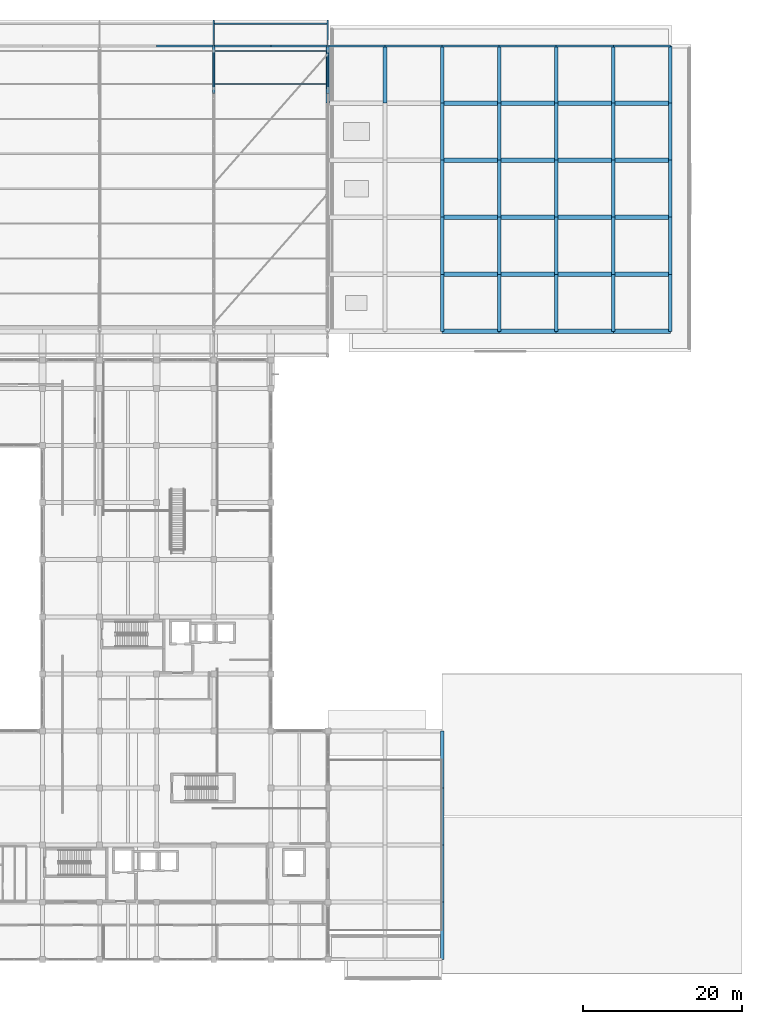
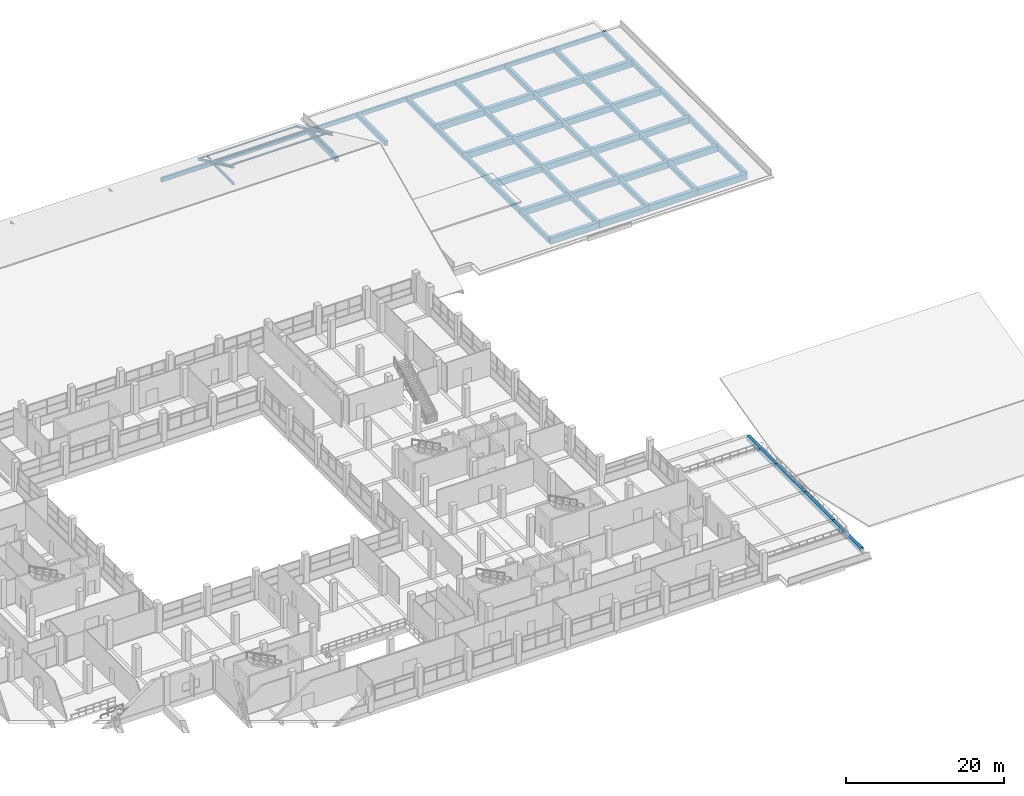
# One storey, part 111 of 141: 60 beams, 11 members, 2 elements without a shape of their own.
"""IFC4 building model written with IfcOpenShell, lengths in metres."""

from ifc_helpers import new_model, si_unit, direction, frame, origin, origin_2d, place, context, subcontext, project, spatial, rectangle, hollow_circle, i_section, extrude, material, material_profile, profile_set, type_object, element, aggregate, save


model = new_model("IFC4")

# Units and contexts
model_context = context("Model", 3, precision=1e-05, world=origin(), true_north=direction((0.0, 1.0)))
body_context = subcontext(model_context, "Body", "Model", "MODEL_VIEW")
ifc_project = project(units=[si_unit("LENGTHUNIT", "METRE"), si_unit("AREAUNIT", "SQUARE_METRE"), si_unit("VOLUMEUNIT", "CUBIC_METRE"), si_unit("PLANEANGLEUNIT", "RADIAN"), si_unit("MASSUNIT", "GRAM", prefix="KILO")], contexts=[model_context])

# Site, building, storey
site_placement = place(None, origin())
site = spatial("IfcSite", under=ifc_project, at=site_placement, CompositionType="ELEMENT")
building_placement = place(site_placement, origin())
building = spatial("IfcBuilding", under=site, at=building_placement, Name="Seraya Terrace Polytechnic", CompositionType="ELEMENT")
storey_placement = place(building_placement, frame((0.0, 0.0, 14.39990234375)))
storey = spatial("IfcBuildingStorey", under=building, at=storey_placement, Name="L03", CompositionType="ELEMENT", Elevation=14.39990234375)

# Assembly, member
ifc_material_1 = material(Name="Steel S355J2", Category="steel")
element_assembly_type = type_object("IfcElementAssemblyType", Name="TR-A1", PredefinedType="TRUSS", material=ifc_material_1)
assembly_1_placement = place(storey_placement, origin())
assembly_1 = element("IfcElementAssembly", 1, at=assembly_1_placement, inside=storey, type_object=element_assembly_type, Name="Pitched steel roof truss TR-07", AssemblyPlace="SITE", PredefinedType="TRUSS")
ifc_material_profile_1 = material_profile(ifc_material_1, i_section(OverallWidth=0.304931640625, OverallDepth=0.304931640625, WebThickness=0.014892578125, FlangeThickness=0.023681640625, at=origin_2d()), Name="UKC 305x305x14.9x23.8")
ifc_profile_set_1 = profile_set([ifc_material_profile_1], Name="Steel S355J2")
member_type_1 = type_object("IfcMemberType", Name="BC-01", PredefinedType="CHORD", material=ifc_profile_set_1)
member_1_placement = place(storey_placement, frame((100.800048828125, 109.199951171875, 0.150146484375), z_axis=(0.0, 1.0, 0.0), x_axis=(-1.0, 0.0, 0.0)))
member_1 = element("IfcMember", 2, at=member_1_placement, type_object=member_type_1, Name="TR-07 bottom chord 6", PredefinedType="CHORD", context=body_context, shape_type="SweptSolid", body=[
    extrude(i_section(OverallWidth=0.304931640625, OverallDepth=0.304931640625, WebThickness=0.014892578125, FlangeThickness=0.023681640625, at=origin_2d()), origin(), (0.0, 0.0, 1.0), 6.0),
])

assembly_2_placement = place(storey_placement, origin())
assembly_2 = element("IfcElementAssembly", 3, at=assembly_2_placement, inside=storey, type_object=element_assembly_type, Name="Pitched steel roof truss TR-08", AssemblyPlace="SITE", PredefinedType="TRUSS")
member_2_placement = place(storey_placement, frame((115.199951171875, 109.199951171875, 0.150146484375), z_axis=(0.0, 1.0, 0.0), x_axis=(-1.0, 0.0, 0.0)))
member_2 = element("IfcMember", 4, at=member_2_placement, type_object=member_type_1, Name="TR-08 bottom chord 6", PredefinedType="CHORD", context=body_context, shape_type="SweptSolid", body=[
    extrude(i_section(OverallWidth=0.304931640625, OverallDepth=0.304931640625, WebThickness=0.014892578125, FlangeThickness=0.023681640625, at=origin_2d()), origin(), (0.0, 0.0, 1.0), 6.0),
])

# Beams
ifc_material_2 = material(Name="Concrete C40/50", Category="concrete")
ifc_material_profile_2 = material_profile(ifc_material_2, rectangle(XDim=0.580078125, YDim=0.97998046875, at=origin_2d()), Name="RC 580x980")
ifc_profile_set_2 = profile_set([ifc_material_profile_2], Name="Concrete C40/50")
beam_type_1 = type_object("IfcBeamType", Name="BM-02", PredefinedType="BEAM", material=ifc_profile_set_2)
for number, where, z_axis, x_axis, name in (
    (5, (129.60009765625, 79.199951171875, -0.489990234375), (1.0, 0.0, 0.0), (0.0, 1.0, 0.0), "Beam BM-02 L03 X (129.6..136.8, 79.2)"),
    (6, (136.800048828125, 79.199951171875, -0.489990234375), (1.0, 0.0, 0.0), (0.0, 1.0, 0.0), "Beam BM-02 L03 X (136.8..144.0, 79.2)"),
    (7, (144.0, 79.199951171875, -0.489990234375), (1.0, 0.0, 0.0), (0.0, 1.0, 0.0), "Beam BM-02 L03 X (144.0..151.2, 79.2)"),
    (8, (151.199951171875, 79.199951171875, -0.489990234375), (1.0, 0.0, 0.0), (0.0, 1.0, 0.0), "Beam BM-02 L03 X (151.2..158.4, 79.2)"),
    (9, (129.60009765625, 86.39990234375, -0.489990234375), (1.0, 0.0, 0.0), (0.0, 1.0, 0.0), "Beam BM-02 L03 X (129.6..136.8, 86.4)"),
    (10, (136.800048828125, 86.39990234375, -0.489990234375), (1.0, 0.0, 0.0), (0.0, 1.0, 0.0), "Beam BM-02 L03 X (136.8..144.0, 86.4)"),
    (11, (144.0, 86.39990234375, -0.489990234375), (1.0, 0.0, 0.0), (0.0, 1.0, 0.0), "Beam BM-02 L03 X (144.0..151.2, 86.4)"),
    (12, (151.199951171875, 86.39990234375, -0.489990234375), (1.0, 0.0, 0.0), (0.0, 1.0, 0.0), "Beam BM-02 L03 X (151.2..158.4, 86.4)"),
    (13, (129.60009765625, 93.60009765625, -0.489990234375), (1.0, 0.0, 0.0), (0.0, 1.0, 0.0), "Beam BM-02 L03 X (129.6..136.8, 93.6)"),
    (14, (136.800048828125, 93.60009765625, -0.489990234375), (1.0, 0.0, 0.0), (0.0, 1.0, 0.0), "Beam BM-02 L03 X (136.8..144.0, 93.6)"),
    (15, (144.0, 93.60009765625, -0.489990234375), (1.0, 0.0, 0.0), (0.0, 1.0, 0.0), "Beam BM-02 L03 X (144.0..151.2, 93.6)"),
    (16, (151.199951171875, 93.60009765625, -0.489990234375), (1.0, 0.0, 0.0), (0.0, 1.0, 0.0), "Beam BM-02 L03 X (151.2..158.4, 93.6)"),
    (17, (129.60009765625, 100.800048828125, -0.489990234375), (1.0, 0.0, 0.0), (0.0, 1.0, 0.0), "Beam BM-02 L03 X (129.6..136.8, 100.8)"),
    (18, (136.800048828125, 100.800048828125, -0.489990234375), (1.0, 0.0, 0.0), (0.0, 1.0, 0.0), "Beam BM-02 L03 X (136.8..144.0, 100.8)"),
    (19, (144.0, 100.800048828125, -0.489990234375), (1.0, 0.0, 0.0), (0.0, 1.0, 0.0), "Beam BM-02 L03 X (144.0..151.2, 100.8)"),
    (20, (151.199951171875, 100.800048828125, -0.489990234375), (1.0, 0.0, 0.0), (0.0, 1.0, 0.0), "Beam BM-02 L03 X (151.2..158.4, 100.8)"),
    (21, (129.60009765625, 108.0, -0.489990234375), (1.0, 0.0, 0.0), (0.0, 1.0, 0.0), "Beam BM-02 L03 X (129.6..136.8, 108.0)"),
    (22, (136.800048828125, 108.0, -0.489990234375), (1.0, 0.0, 0.0), (0.0, 1.0, 0.0), "Beam BM-02 L03 X (136.8..144.0, 108.0)"),
    (23, (144.0, 108.0, -0.489990234375), (1.0, 0.0, 0.0), (0.0, 1.0, 0.0), "Beam BM-02 L03 X (144.0..151.2, 108.0)"),
    (24, (151.199951171875, 108.0, -0.489990234375), (1.0, 0.0, 0.0), (0.0, 1.0, 0.0), "Beam BM-02 L03 X (151.2..158.4, 108.0)"),
):
    element("IfcBeam", number, at=place(storey_placement, frame(where, z_axis=z_axis, x_axis=x_axis)), inside=storey, type_object=beam_type_1, Name=name, PredefinedType="BEAM", context=body_context, shape_type="SweptSolid", body=[
        extrude(rectangle(XDim=0.580078125, YDim=0.97998046875, at=origin_2d()), origin(), (0.0, 0.0, 1.0), 7.199951171875),
    ])
ifc_material_profile_3 = material_profile(ifc_material_2, rectangle(XDim=0.449951171875, YDim=0.75, at=origin_2d()), Name="RC 450x750")
ifc_profile_set_3 = profile_set([ifc_material_profile_3], Name="Concrete C40/50")
beam_type_2 = type_object("IfcBeamType", Name="BM-08", PredefinedType="BEAM", material=ifc_profile_set_3)
for number, where, z_axis, x_axis, name in (
    (25, (115.199951171875, 108.0, -0.375), (0.0, 1.0, 0.0), (-1.0, 0.0, 0.0), "Beam BM-08 L03 Y (115.2, 108.0..115.2)"),
    (26, (122.39990234375, 108.0, -0.375), (0.0, 1.0, 0.0), (-1.0, 0.0, 0.0), "Beam BM-08 L03 Y (122.4, 108.0..115.2)"),
    (27, (129.60009765625, 0.0, -0.375), (0.0, 1.0, 0.0), (-1.0, 0.0, 0.0), "Beam BM-08 L03 Y (129.6, 0.0..7.2)"),
    (28, (129.60009765625, 7.199951171875, -0.375), (0.0, 1.0, 0.0), (-1.0, 0.0, 0.0), "Beam BM-08 L03 Y (129.6, 7.2..14.4)"),
):
    element("IfcBeam", number, at=place(storey_placement, frame(where, z_axis=z_axis, x_axis=x_axis)), inside=storey, type_object=beam_type_2, Name=name, PredefinedType="BEAM", context=body_context, shape_type="SweptSolid", body=[
        extrude(rectangle(XDim=0.449951171875, YDim=0.75, at=origin_2d()), origin(), (0.0, 0.0, 1.0), 7.199951171875),
    ])
beam_1_placement = place(storey_placement, frame((129.60009765625, 14.39990234375, -0.375), z_axis=(0.0, 1.0, 0.0), x_axis=(-1.0, 0.0, 0.0)))
element("IfcBeam", 29, at=beam_1_placement, inside=storey, type_object=beam_type_2, Name="Beam BM-08 L03 Y (129.6, 14.4..21.6)", PredefinedType="BEAM", context=body_context, shape_type="SweptSolid", body=[
    extrude(rectangle(XDim=0.449951171875, YDim=0.75, at=origin_2d()), origin(), (0.0, 0.0, 1.0), 7.2001953125),
])
for number, where, z_axis, x_axis, name in (
    (30, (129.60009765625, 21.60009765625, -0.375), (0.0, 1.0, 0.0), (-1.0, 0.0, 0.0), "Beam BM-08 L03 Y (129.6, 21.6..28.8)"),
    (31, (129.60009765625, 79.199951171875, -0.375), (0.0, 1.0, 0.0), (-1.0, 0.0, 0.0), "Beam BM-08 L03 Y (129.6, 79.2..86.4)"),
):
    element("IfcBeam", number, at=place(storey_placement, frame(where, z_axis=z_axis, x_axis=x_axis)), inside=storey, type_object=beam_type_2, Name=name, PredefinedType="BEAM", context=body_context, shape_type="SweptSolid", body=[
        extrude(rectangle(XDim=0.449951171875, YDim=0.75, at=origin_2d()), origin(), (0.0, 0.0, 1.0), 7.199951171875),
    ])
beam_2_placement = place(storey_placement, frame((129.60009765625, 86.39990234375, -0.375), z_axis=(0.0, 1.0, 0.0), x_axis=(-1.0, 0.0, 0.0)))
element("IfcBeam", 32, at=beam_2_placement, inside=storey, type_object=beam_type_2, Name="Beam BM-08 L03 Y (129.6, 86.4..93.6)", PredefinedType="BEAM", context=body_context, shape_type="SweptSolid", body=[
    extrude(rectangle(XDim=0.449951171875, YDim=0.75, at=origin_2d()), origin(), (0.0, 0.0, 1.0), 7.2001953125),
])
for number, where, z_axis, x_axis, name in (
    (33, (129.60009765625, 93.60009765625, -0.375), (0.0, 1.0, 0.0), (-1.0, 0.0, 0.0), "Beam BM-08 L03 Y (129.6, 93.6..100.8)"),
    (34, (129.60009765625, 100.800048828125, -0.375), (0.0, 1.0, 0.0), (-1.0, 0.0, 0.0), "Beam BM-08 L03 Y (129.6, 100.8..108.0)"),
    (35, (129.60009765625, 108.0, -0.375), (0.0, 1.0, 0.0), (-1.0, 0.0, 0.0), "Beam BM-08 L03 Y (129.6, 108.0..115.2)"),
    (36, (136.800048828125, 79.199951171875, -0.375), (0.0, 1.0, 0.0), (-1.0, 0.0, 0.0), "Beam BM-08 L03 Y (136.8, 79.2..86.4)"),
):
    element("IfcBeam", number, at=place(storey_placement, frame(where, z_axis=z_axis, x_axis=x_axis)), inside=storey, type_object=beam_type_2, Name=name, PredefinedType="BEAM", context=body_context, shape_type="SweptSolid", body=[
        extrude(rectangle(XDim=0.449951171875, YDim=0.75, at=origin_2d()), origin(), (0.0, 0.0, 1.0), 7.199951171875),
    ])
beam_3_placement = place(storey_placement, frame((136.800048828125, 86.39990234375, -0.375), z_axis=(0.0, 1.0, 0.0), x_axis=(-1.0, 0.0, 0.0)))
element("IfcBeam", 37, at=beam_3_placement, inside=storey, type_object=beam_type_2, Name="Beam BM-08 L03 Y (136.8, 86.4..93.6)", PredefinedType="BEAM", context=body_context, shape_type="SweptSolid", body=[
    extrude(rectangle(XDim=0.449951171875, YDim=0.75, at=origin_2d()), origin(), (0.0, 0.0, 1.0), 7.2001953125),
])
for number, where, z_axis, x_axis, name in (
    (38, (136.800048828125, 93.60009765625, -0.375), (0.0, 1.0, 0.0), (-1.0, 0.0, 0.0), "Beam BM-08 L03 Y (136.8, 93.6..100.8)"),
    (39, (136.800048828125, 100.800048828125, -0.375), (0.0, 1.0, 0.0), (-1.0, 0.0, 0.0), "Beam BM-08 L03 Y (136.8, 100.8..108.0)"),
    (40, (136.800048828125, 108.0, -0.375), (0.0, 1.0, 0.0), (-1.0, 0.0, 0.0), "Beam BM-08 L03 Y (136.8, 108.0..115.2)"),
    (41, (144.0, 79.199951171875, -0.375), (0.0, 1.0, 0.0), (-1.0, 0.0, 0.0), "Beam BM-08 L03 Y (144.0, 79.2..86.4)"),
):
    element("IfcBeam", number, at=place(storey_placement, frame(where, z_axis=z_axis, x_axis=x_axis)), inside=storey, type_object=beam_type_2, Name=name, PredefinedType="BEAM", context=body_context, shape_type="SweptSolid", body=[
        extrude(rectangle(XDim=0.449951171875, YDim=0.75, at=origin_2d()), origin(), (0.0, 0.0, 1.0), 7.199951171875),
    ])
beam_4_placement = place(storey_placement, frame((144.0, 86.39990234375, -0.375), z_axis=(0.0, 1.0, 0.0), x_axis=(-1.0, 0.0, 0.0)))
element("IfcBeam", 42, at=beam_4_placement, inside=storey, type_object=beam_type_2, Name="Beam BM-08 L03 Y (144.0, 86.4..93.6)", PredefinedType="BEAM", context=body_context, shape_type="SweptSolid", body=[
    extrude(rectangle(XDim=0.449951171875, YDim=0.75, at=origin_2d()), origin(), (0.0, 0.0, 1.0), 7.2001953125),
])
for number, where, z_axis, x_axis, name in (
    (43, (144.0, 93.60009765625, -0.375), (0.0, 1.0, 0.0), (-1.0, 0.0, 0.0), "Beam BM-08 L03 Y (144.0, 93.6..100.8)"),
    (44, (144.0, 100.800048828125, -0.375), (0.0, 1.0, 0.0), (-1.0, 0.0, 0.0), "Beam BM-08 L03 Y (144.0, 100.8..108.0)"),
    (45, (144.0, 108.0, -0.375), (0.0, 1.0, 0.0), (-1.0, 0.0, 0.0), "Beam BM-08 L03 Y (144.0, 108.0..115.2)"),
    (46, (151.199951171875, 79.199951171875, -0.375), (0.0, 1.0, 0.0), (-1.0, 0.0, 0.0), "Beam BM-08 L03 Y (151.2, 79.2..86.4)"),
):
    element("IfcBeam", number, at=place(storey_placement, frame(where, z_axis=z_axis, x_axis=x_axis)), inside=storey, type_object=beam_type_2, Name=name, PredefinedType="BEAM", context=body_context, shape_type="SweptSolid", body=[
        extrude(rectangle(XDim=0.449951171875, YDim=0.75, at=origin_2d()), origin(), (0.0, 0.0, 1.0), 7.199951171875),
    ])
beam_5_placement = place(storey_placement, frame((151.199951171875, 86.39990234375, -0.375), z_axis=(0.0, 1.0, 0.0), x_axis=(-1.0, 0.0, 0.0)))
element("IfcBeam", 47, at=beam_5_placement, inside=storey, type_object=beam_type_2, Name="Beam BM-08 L03 Y (151.2, 86.4..93.6)", PredefinedType="BEAM", context=body_context, shape_type="SweptSolid", body=[
    extrude(rectangle(XDim=0.449951171875, YDim=0.75, at=origin_2d()), origin(), (0.0, 0.0, 1.0), 7.2001953125),
])
for number, where, z_axis, x_axis, name in (
    (48, (151.199951171875, 93.60009765625, -0.375), (0.0, 1.0, 0.0), (-1.0, 0.0, 0.0), "Beam BM-08 L03 Y (151.2, 93.6..100.8)"),
    (49, (151.199951171875, 100.800048828125, -0.375), (0.0, 1.0, 0.0), (-1.0, 0.0, 0.0), "Beam BM-08 L03 Y (151.2, 100.8..108.0)"),
    (50, (151.199951171875, 108.0, -0.375), (0.0, 1.0, 0.0), (-1.0, 0.0, 0.0), "Beam BM-08 L03 Y (151.2, 108.0..115.2)"),
    (51, (158.39990234375, 79.199951171875, -0.375), (0.0, 1.0, 0.0), (-1.0, 0.0, 0.0), "Beam BM-08 L03 Y (158.4, 79.2..86.4)"),
):
    element("IfcBeam", number, at=place(storey_placement, frame(where, z_axis=z_axis, x_axis=x_axis)), inside=storey, type_object=beam_type_2, Name=name, PredefinedType="BEAM", context=body_context, shape_type="SweptSolid", body=[
        extrude(rectangle(XDim=0.449951171875, YDim=0.75, at=origin_2d()), origin(), (0.0, 0.0, 1.0), 7.199951171875),
    ])
beam_6_placement = place(storey_placement, frame((158.39990234375, 86.39990234375, -0.375), z_axis=(0.0, 1.0, 0.0), x_axis=(-1.0, 0.0, 0.0)))
element("IfcBeam", 52, at=beam_6_placement, inside=storey, type_object=beam_type_2, Name="Beam BM-08 L03 Y (158.4, 86.4..93.6)", PredefinedType="BEAM", context=body_context, shape_type="SweptSolid", body=[
    extrude(rectangle(XDim=0.449951171875, YDim=0.75, at=origin_2d()), origin(), (0.0, 0.0, 1.0), 7.2001953125),
])
for number, where, z_axis, x_axis, name in (
    (53, (158.39990234375, 93.60009765625, -0.375), (0.0, 1.0, 0.0), (-1.0, 0.0, 0.0), "Beam BM-08 L03 Y (158.4, 93.6..100.8)"),
    (54, (158.39990234375, 100.800048828125, -0.375), (0.0, 1.0, 0.0), (-1.0, 0.0, 0.0), "Beam BM-08 L03 Y (158.4, 100.8..108.0)"),
    (55, (158.39990234375, 108.0, -0.375), (0.0, 1.0, 0.0), (-1.0, 0.0, 0.0), "Beam BM-08 L03 Y (158.4, 108.0..115.2)"),
):
    element("IfcBeam", number, at=place(storey_placement, frame(where, z_axis=z_axis, x_axis=x_axis)), inside=storey, type_object=beam_type_2, Name=name, PredefinedType="BEAM", context=body_context, shape_type="SweptSolid", body=[
        extrude(rectangle(XDim=0.449951171875, YDim=0.75, at=origin_2d()), origin(), (0.0, 0.0, 1.0), 7.199951171875),
    ])

# Member
ifc_material_profile_4 = material_profile(ifc_material_1, hollow_circle(Radius=0.109619140625, WallThickness=0.010009765625, at=origin_2d()), Name="CHS 219.1x10.0")
ifc_profile_set_4 = profile_set([ifc_material_profile_4], Name="Steel S355J2")
member_type_2 = type_object("IfcMemberType", Name="BR-01", PredefinedType="BRACE", material=ifc_profile_set_4)
member_3_placement = place(storey_placement, frame((100.800048828125, 109.820068359375, 2.31884765625), z_axis=(0.0, 0.921775035169, -0.387725140453), x_axis=(-1.0, 0.0, 0.0)))
member_3 = element("IfcMember", 56, at=member_3_placement, type_object=member_type_2, Name="TR-07 web diagonal 6", PredefinedType="BRACE", context=body_context, shape_type="SweptSolid", body=[
    extrude(hollow_circle(Radius=0.109619140625, WallThickness=0.010009765625, at=origin_2d()), origin(), (0.0, 0.0, 1.0), 5.1640625),
])

member_4_placement = place(storey_placement, frame((115.199951171875, 109.820068359375, 2.31884765625), z_axis=(0.0, 0.921775035169, -0.387725140453), x_axis=(-1.0, 0.0, 0.0)))
member_4 = element("IfcMember", 57, at=member_4_placement, type_object=member_type_2, Name="TR-08 web diagonal 6", PredefinedType="BRACE", context=body_context, shape_type="SweptSolid", body=[
    extrude(hollow_circle(Radius=0.109619140625, WallThickness=0.010009765625, at=origin_2d()), origin(), (0.0, 0.0, 1.0), 5.1640625),
])

# Members
ifc_material_profile_5 = material_profile(ifc_material_1, i_section(OverallWidth=0.14599609375, OverallDepth=0.25390625, WebThickness=0.007080078125, FlangeThickness=0.01416015625, at=origin_2d()), Name="UKB 254x146x7.2x14.2")
ifc_profile_set_5 = profile_set([ifc_material_profile_5], Name="Steel S355J2")
member_type_3 = type_object("IfcMemberType", Name="PR-01", PredefinedType="PURLIN", material=ifc_profile_set_5)
for number, where, z_axis, x_axis, name in (
    (58, (100.800048828125, 110.39990234375, 2.270263671875), (1.0, 0.0, 0.0), (0.0, 1.0, 0.0), "Workshop roof purlin PR-01 bay 7.9"),
    (59, (100.800048828125, 114.550048828125, 0.33349609375), (1.0, 0.0, 0.0), (0.0, 1.0, 0.0), "Workshop roof purlin PR-01 bay 7.10"),
):
    element("IfcMember", number, at=place(storey_placement, frame(where, z_axis=z_axis, x_axis=x_axis)), inside=storey, type_object=member_type_3, Name=name, PredefinedType="PURLIN", context=body_context, shape_type="SweptSolid", body=[
        extrude(i_section(OverallWidth=0.14599609375, OverallDepth=0.25390625, WebThickness=0.007080078125, FlangeThickness=0.01416015625, at=origin_2d()), origin(), (0.0, 0.0, 1.0), 14.39990234375),
    ])
ifc_material_profile_6 = material_profile(ifc_material_1, i_section(OverallWidth=0.133056640625, OverallDepth=0.202880859375, WebThickness=0.00634765625, FlangeThickness=0.01171875, at=origin_2d()), Name="UKB 203x133x6.4x11.8")
ifc_profile_set_6 = profile_set([ifc_material_profile_6], Name="Steel S355J2")
member_type_4 = type_object("IfcMemberType", Name="PR-02", PredefinedType="PURLIN", material=ifc_profile_set_6)
member_5_placement = place(storey_placement, frame((100.800048828125, 118.0, -1.247802734375), z_axis=(1.0, 0.0, 0.0), x_axis=(0.0, 1.0, 0.0)))
element("IfcMember", 60, at=member_5_placement, inside=storey, type_object=member_type_4, Name="Workshop roof purlin PR-02 bay 7.11", PredefinedType="PURLIN", context=body_context, shape_type="SweptSolid", body=[
    extrude(i_section(OverallWidth=0.133056640625, OverallDepth=0.202880859375, WebThickness=0.00634765625, FlangeThickness=0.01171875, at=origin_2d()), origin(), (0.0, 0.0, 1.0), 14.39990234375),
])

# Member
ifc_material_profile_7 = material_profile(ifc_material_1, i_section(OverallWidth=0.1708984375, OverallDepth=0.35595703125, WebThickness=0.009033203125, FlangeThickness=0.015625, at=origin_2d()), Name="UKB 356x171x9.1x15.7")
ifc_profile_set_7 = profile_set([ifc_material_profile_7], Name="Steel S355J2")
member_type_5 = type_object("IfcMemberType", Name="RF-01", PredefinedType="RAFTER", material=ifc_profile_set_7)
member_6_placement = place(storey_placement, frame((100.800048828125, 115.199951171875, -0.052001953125), z_axis=(0.0, 0.906199036176, -0.422851400416), x_axis=(-1.0, 0.0, 0.0)))
member_6 = element("IfcMember", 61, at=member_6_placement, type_object=member_type_5, Name="TR-07 North monsoon eave rafter", PredefinedType="RAFTER", context=body_context, shape_type="SweptSolid", body=[
    extrude(i_section(OverallWidth=0.1708984375, OverallDepth=0.35595703125, WebThickness=0.009033203125, FlangeThickness=0.015625, at=origin_2d()), origin(), (0.0, 0.0, 1.0), 3.53125),
])

ifc_material_profile_8 = material_profile(ifc_material_1, i_section(OverallWidth=0.1650390625, OverallDepth=0.304931640625, WebThickness=0.0087890625, FlangeThickness=0.0166015625, at=origin_2d()), Name="UKB 305x165x8.9x16.7")
ifc_profile_set_8 = profile_set([ifc_material_profile_8], Name="Steel S355J2")
member_type_6 = type_object("IfcMemberType", Name="RF-02", PredefinedType="RAFTER", material=ifc_profile_set_8)
member_7_placement = place(storey_placement, frame((115.199951171875, 115.199951171875, -0.052001953125), z_axis=(0.0, 0.906199036176, -0.422851400416), x_axis=(-1.0, 0.0, 0.0)))
member_7 = element("IfcMember", 62, at=member_7_placement, type_object=member_type_6, Name="TR-08 North monsoon eave rafter", PredefinedType="RAFTER", context=body_context, shape_type="SweptSolid", body=[
    extrude(i_section(OverallWidth=0.1650390625, OverallDepth=0.304931640625, WebThickness=0.0087890625, FlangeThickness=0.0166015625, at=origin_2d()), origin(), (0.0, 0.0, 1.0), 3.53125),
])

# Beams
ifc_material_profile_9 = material_profile(ifc_material_2, rectangle(XDim=0.300048828125, YDim=0.64990234375, at=origin_2d()), Name="RC 300x650")
ifc_profile_set_9 = profile_set([ifc_material_profile_9], Name="Concrete C40/50")
beam_type_3 = type_object("IfcBeamType", Name="SP-01", PredefinedType="SPANDREL", material=ifc_profile_set_9)
for number, where, z_axis, x_axis, name in (
    (63, (93.60009765625, 115.199951171875, -0.324951171875), (1.0, 0.0, 0.0), (0.0, 1.0, 0.0), "Beam SP-01 L03 X (93.6..100.8, 115.2)"),
    (64, (100.800048828125, 115.199951171875, -0.324951171875), (1.0, 0.0, 0.0), (0.0, 1.0, 0.0), "Beam SP-01 L03 X (100.8..108.0, 115.2)"),
    (65, (108.0, 115.199951171875, -0.324951171875), (1.0, 0.0, 0.0), (0.0, 1.0, 0.0), "Beam SP-01 L03 X (108.0..115.2, 115.2)"),
    (66, (115.199951171875, 115.199951171875, -0.324951171875), (1.0, 0.0, 0.0), (0.0, 1.0, 0.0), "Beam SP-01 L03 X (115.2..122.4, 115.2)"),
):
    element("IfcBeam", number, at=place(storey_placement, frame(where, z_axis=z_axis, x_axis=x_axis)), inside=storey, type_object=beam_type_3, Name=name, PredefinedType="SPANDREL", context=body_context, shape_type="SweptSolid", body=[
        extrude(rectangle(XDim=0.300048828125, YDim=0.64990234375, at=origin_2d()), origin(), (0.0, 0.0, 1.0), 7.199951171875),
    ])
beam_7_placement = place(storey_placement, frame((122.39990234375, 115.199951171875, -0.324951171875), z_axis=(1.0, 0.0, 0.0), x_axis=(0.0, 1.0, 0.0)))
element("IfcBeam", 67, at=beam_7_placement, inside=storey, type_object=beam_type_3, Name="Beam SP-01 L03 X (122.4..129.6, 115.2)", PredefinedType="SPANDREL", context=body_context, shape_type="SweptSolid", body=[
    extrude(rectangle(XDim=0.300048828125, YDim=0.64990234375, at=origin_2d()), origin(), (0.0, 0.0, 1.0), 7.2001953125),
])
for number, where, z_axis, x_axis, name in (
    (68, (129.60009765625, 115.199951171875, -0.324951171875), (1.0, 0.0, 0.0), (0.0, 1.0, 0.0), "Beam SP-01 L03 X (129.6..136.8, 115.2)"),
    (69, (136.800048828125, 115.199951171875, -0.324951171875), (1.0, 0.0, 0.0), (0.0, 1.0, 0.0), "Beam SP-01 L03 X (136.8..144.0, 115.2)"),
    (70, (144.0, 115.199951171875, -0.324951171875), (1.0, 0.0, 0.0), (0.0, 1.0, 0.0), "Beam SP-01 L03 X (144.0..151.2, 115.2)"),
    (71, (151.199951171875, 115.199951171875, -0.324951171875), (1.0, 0.0, 0.0), (0.0, 1.0, 0.0), "Beam SP-01 L03 X (151.2..158.4, 115.2)"),
):
    element("IfcBeam", number, at=place(storey_placement, frame(where, z_axis=z_axis, x_axis=x_axis)), inside=storey, type_object=beam_type_3, Name=name, PredefinedType="SPANDREL", context=body_context, shape_type="SweptSolid", body=[
        extrude(rectangle(XDim=0.300048828125, YDim=0.64990234375, at=origin_2d()), origin(), (0.0, 0.0, 1.0), 7.199951171875),
    ])

# Member
ifc_material_profile_10 = material_profile(ifc_material_1, i_section(OverallWidth=0.367919921875, OverallDepth=0.35595703125, WebThickness=0.014892578125, FlangeThickness=0.0244140625, at=origin_2d()), Name="UKC 356x368x15.0x24.4")
ifc_profile_set_10 = profile_set([ifc_material_profile_10], Name="Steel S355J2")
member_type_7 = type_object("IfcMemberType", Name="TC-01", PredefinedType="CHORD", material=ifc_profile_set_10)
member_8_placement = place(storey_placement, frame((100.800048828125, 109.199951171875, 2.800048828125), z_axis=(0.0, 0.906180313975, -0.422891521036), x_axis=(-1.0, 0.0, 0.0)))
member_8 = element("IfcMember", 72, at=member_8_placement, type_object=member_type_7, Name="TR-07 top chord 6", PredefinedType="CHORD", context=body_context, shape_type="SweptSolid", body=[
    extrude(i_section(OverallWidth=0.367919921875, OverallDepth=0.35595703125, WebThickness=0.014892578125, FlangeThickness=0.0244140625, at=origin_2d()), origin(), (0.0, 0.0, 1.0), 6.62109375),
])

aggregate(assembly_1, [member_1, member_8, member_3, member_6])

member_9_placement = place(storey_placement, frame((115.199951171875, 109.199951171875, 2.800048828125), z_axis=(0.0, 0.906180313975, -0.422891521036), x_axis=(-1.0, 0.0, 0.0)))
member_9 = element("IfcMember", 73, at=member_9_placement, type_object=member_type_7, Name="TR-08 top chord 6", PredefinedType="CHORD", context=body_context, shape_type="SweptSolid", body=[
    extrude(i_section(OverallWidth=0.367919921875, OverallDepth=0.35595703125, WebThickness=0.014892578125, FlangeThickness=0.0244140625, at=origin_2d()), origin(), (0.0, 0.0, 1.0), 6.62109375),
])

aggregate(assembly_2, [member_2, member_9, member_4, member_7])

save(model, "model.ifc")
